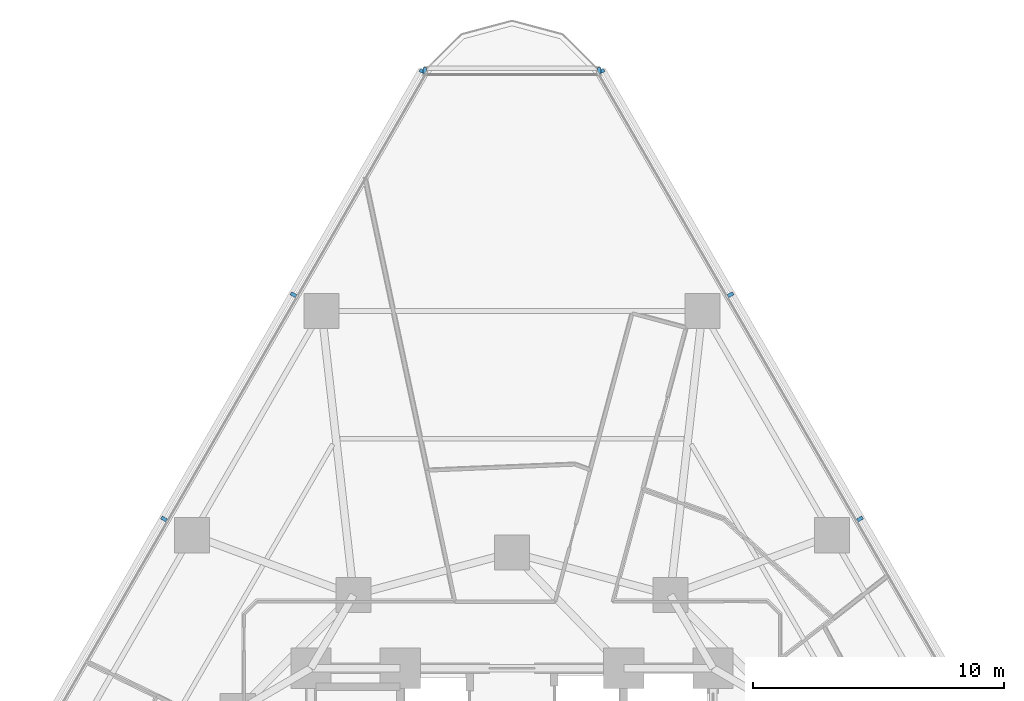
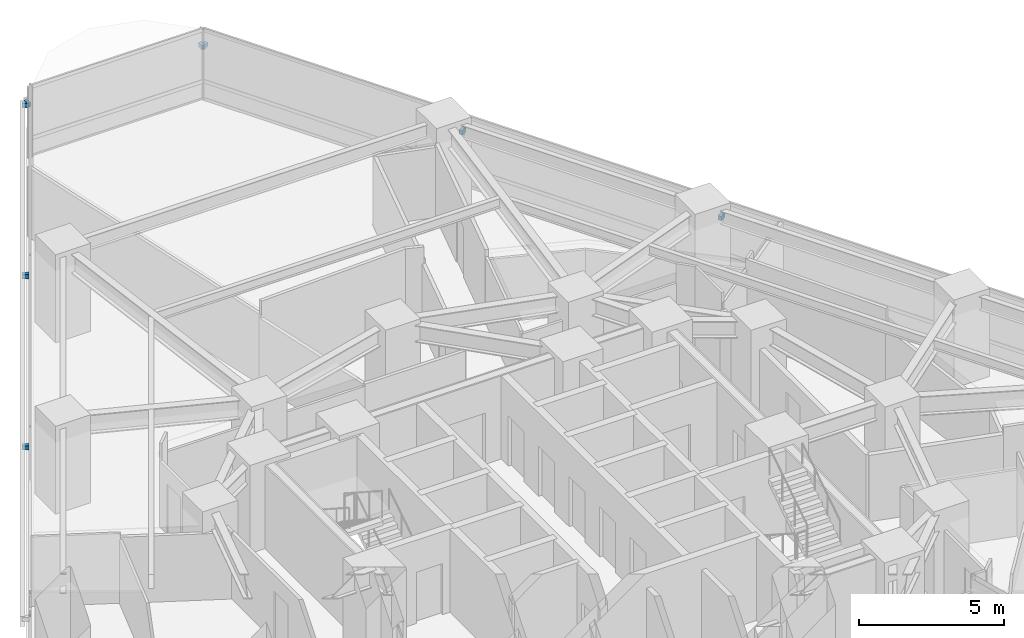
# One storey, part 12 of 15: 8 discrete accessories.
"""IFC4 building model written with IfcOpenShell, lengths in metres."""

from ifc_helpers import new_model, si_unit, direction, frame, origin, origin_2d, place, context, subcontext, project, spatial, rectangle, extrude, material, type_object, element, save


model = new_model("IFC4")

# Units and contexts
model_context = context("Model", 3, precision=1e-05, world=origin(), true_north=direction((0.0, 1.0)))
body_context = subcontext(model_context, "Body", "Model", "MODEL_VIEW")
ifc_project = project(units=[si_unit("LENGTHUNIT", "METRE"), si_unit("AREAUNIT", "SQUARE_METRE"), si_unit("VOLUMEUNIT", "CUBIC_METRE"), si_unit("PLANEANGLEUNIT", "RADIAN"), si_unit("MASSUNIT", "GRAM", prefix="KILO")], contexts=[model_context])

# Site, building, storey
site_placement = place(None, origin())
site = spatial("IfcSite", under=ifc_project, at=site_placement, CompositionType="ELEMENT")
building_placement = place(site_placement, origin())
building = spatial("IfcBuilding", under=site, at=building_placement, Name="Terralouvre Media Tower", CompositionType="ELEMENT")
storey_placement = place(building_placement, frame((0.0, 0.0, 48.199951171875)))
storey = spatial("IfcBuildingStorey", under=building, at=storey_placement, Name="L11", CompositionType="ELEMENT", Elevation=48.199951171875)

# Discrete accessories
ifc_material = material(Name="Anodised extruded aluminium 6063-T6", Category="aluminium")
discrete_accessory_type = type_object("IfcDiscreteAccessoryType", Name="Mullion Stand-Off Baguette Fixing Bracket BK-01", PredefinedType="BRACKET", material=ifc_material)
for number, where, z_axis, x_axis, name in (
    (1, (13.842041015625, 13.9384765625, 2.07421875), (0.0, 0.0, 1.0), (-0.499999985671, 0.866025412057, 0.0), "CW-L11-F1 Baguette Outrigger Bracket 1.04"),
    (2, (8.692138671875, 22.8583984375, 2.07421875), (0.0, 0.0, 1.0), (-0.499999985671, 0.866025412057, 0.0), "CW-L11-F1 Baguette Outrigger Bracket 1.05"),
    (3, (3.560791015625, 31.74609375, 2.07421875), (0.0, 0.0, 1.0), (-0.499999985671, 0.866025412057, 0.0), "CW-L11-F1 Baguette Outrigger Bracket 1.06"),
    (4, (-3.560791015625, 31.74609375, 2.07421875), (0.0, 0.0, 1.0), (-0.499999985671, -0.866025412057, 0.0), "CW-L11-F2 Baguette Outrigger Bracket 1.01"),
    (5, (-8.692138671875, 22.8583984375, 2.07421875), (0.0, 0.0, 1.0), (-0.499999985671, -0.866025412057, 0.0), "CW-L11-F2 Baguette Outrigger Bracket 1.02"),
    (6, (-13.842041015625, 13.9384765625, 2.07421875), (0.0, 0.0, 1.0), (-0.499999985671, -0.866025412057, 0.0), "CW-L11-F2 Baguette Outrigger Bracket 1.03"),
    (7, (3.469970703125, 31.778564453125, 2.07421875), (0.0, 0.0, 1.0), (-1.0, 0.0, 0.0), "CW-L11-C2 Baguette Outrigger Bracket 1.01"),
    (8, (-3.469970703125, 31.778564453125, 2.07421875), (0.0, 0.0, 1.0), (-1.0, 0.0, 0.0), "CW-L11-C2 Baguette Outrigger Bracket 1.02"),
):
    element("IfcDiscreteAccessory", number, at=place(storey_placement, frame(where, z_axis=z_axis, x_axis=x_axis)), inside=storey, type_object=discrete_accessory_type, Name=name, PredefinedType="BRACKET", context=body_context, shape_type="SweptSolid", body=[
        extrude(rectangle(XDim=0.139892578125, YDim=0.239990234375, at=origin_2d()), origin(), (0.0, 0.0, 1.0), 0.179931640625),
    ])

save(model, "model.ifc")
